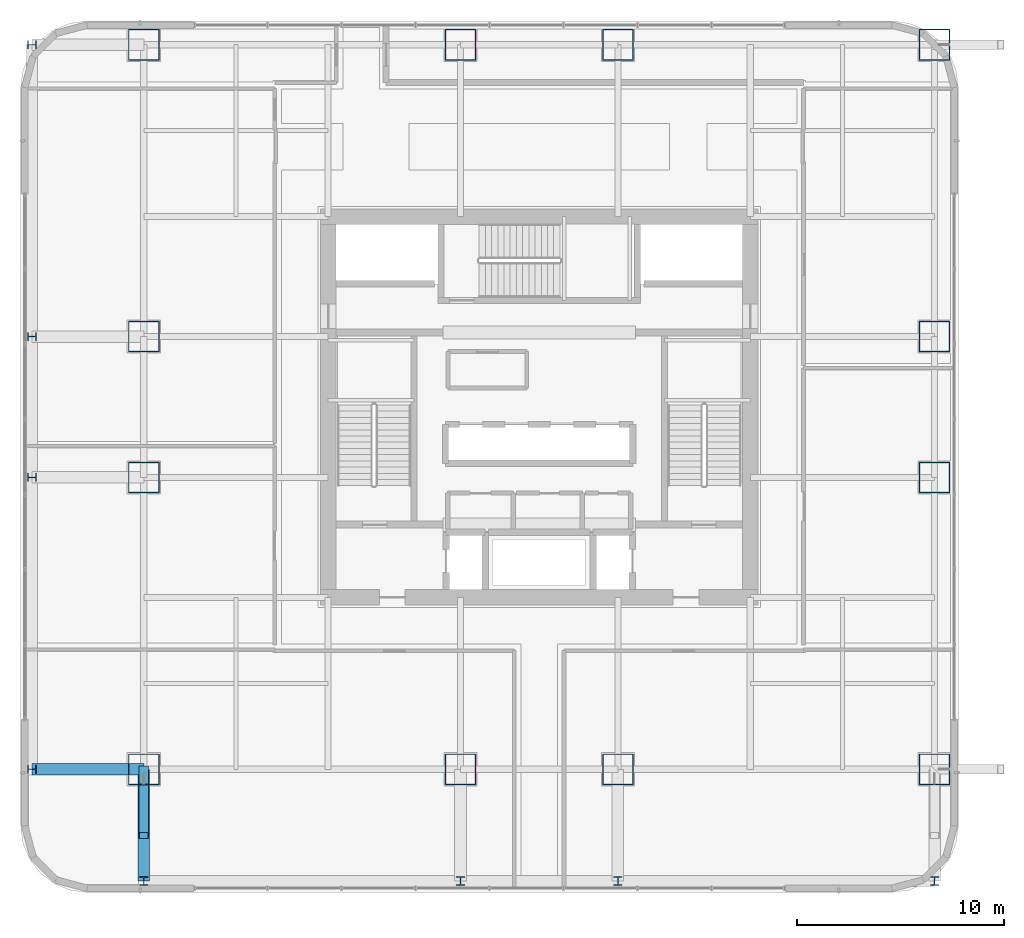
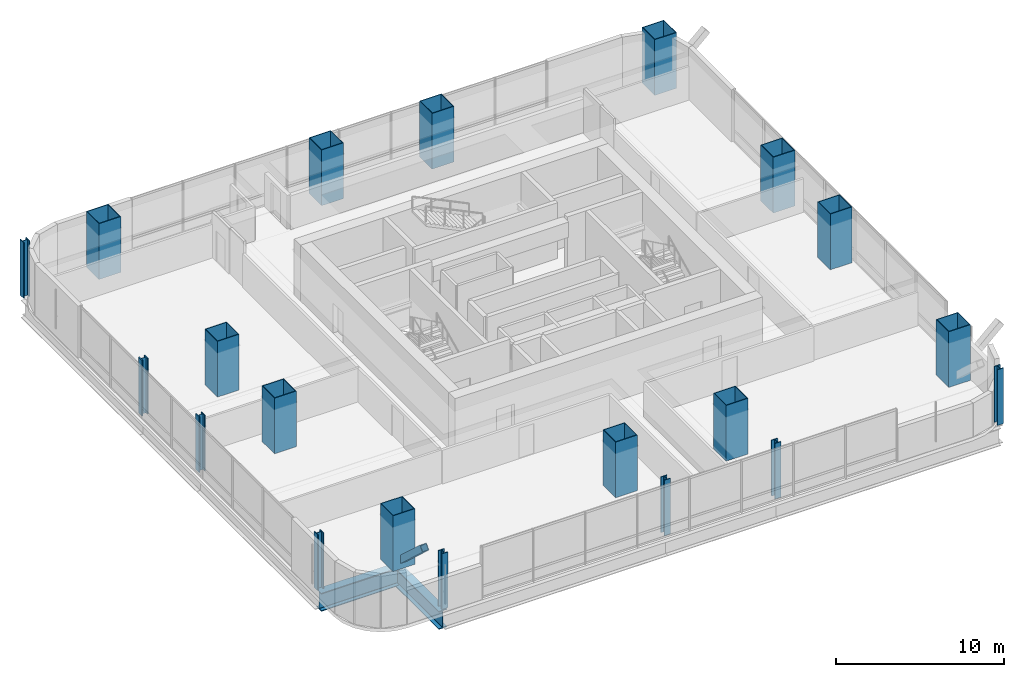
# One storey, part 1 of 45: 20 columns, 2 beams, 1 member.
"""IFC4 building model written with IfcOpenShell, lengths in metres."""

from ifc_helpers import new_model, si_unit, direction, frame, origin, origin_2d, place, context, subcontext, project, spatial, hollow_rectangle, i_section, extrude, material, material_profile, profile_set, type_object, element, save


model = new_model("IFC4")

# Units and contexts
model_context = context("Model", 3, precision=1e-05, world=origin(), true_north=direction((0.0, 1.0)))
body_context = subcontext(model_context, "Body", "Model", "MODEL_VIEW")
ifc_project = project(units=[si_unit("LENGTHUNIT", "METRE"), si_unit("AREAUNIT", "SQUARE_METRE"), si_unit("VOLUMEUNIT", "CUBIC_METRE"), si_unit("PLANEANGLEUNIT", "RADIAN"), si_unit("MASSUNIT", "GRAM", prefix="KILO")], contexts=[model_context])

# Site, building, storey
site_placement = place(None, origin())
site = spatial("IfcSite", under=ifc_project, at=site_placement, CompositionType="ELEMENT")
building_placement = place(site_placement, origin())
building = spatial("IfcBuilding", under=site, at=building_placement, Name="Punatoya Terracotta Tower", CompositionType="ELEMENT")
storey_placement = place(building_placement, frame((0.0, 0.0, 56.550048828125)))
storey = spatial("IfcBuildingStorey", under=building, at=storey_placement, Name="L12", CompositionType="ELEMENT", Elevation=56.550048828125)

# Columns
ifc_material = material(Name="Steel S460", Category="steel")
ifc_material_profile_1 = material_profile(ifc_material, i_section(OverallWidth=0.416015625, OverallDepth=0.446044921875, WebThickness=0.0390625, FlangeThickness=0.06201171875, FilletRadius=0.01806640625, at=origin_2d()))
ifc_profile_set_1 = profile_set([ifc_material_profile_1], Name="Steel S460")
column_type_1 = type_object("IfcColumnType", Name="COL-EX-M1", PredefinedType="COLUMN", material=ifc_profile_set_1)
for number, where, z_axis, x_axis, name in (
    (1, (-19.10009765625, -22.89990234375, 0.0), (0.0, 0.0, 1.0), (1.0, 0.0, 0.0), "L12 Exoskeleton Perimeter Column S1"),
    (2, (-3.800048828125, -22.89990234375, 0.0), (0.0, 0.0, 1.0), (1.0, 0.0, 0.0), "L12 Exoskeleton Perimeter Column S2"),
    (3, (3.800048828125, -22.89990234375, 0.0), (0.0, 0.0, 1.0), (1.0, 0.0, 0.0), "L12 Exoskeleton Perimeter Column S3"),
    (4, (19.10009765625, -22.89990234375, 0.0), (0.0, 0.0, 1.0), (1.0, 0.0, 0.0), "L12 Exoskeleton Perimeter Column S4"),
    (5, (-24.5, -17.5, 0.0), (0.0, 0.0, 1.0), (0.0, 1.0, 0.0), "L12 Exoskeleton Perimeter Column W1"),
    (6, (-24.5, -3.39990234375, 0.0), (0.0, 0.0, 1.0), (0.0, 1.0, 0.0), "L12 Exoskeleton Perimeter Column W2"),
    (7, (-24.5, 3.39990234375, 0.0), (0.0, 0.0, 1.0), (0.0, 1.0, 0.0), "L12 Exoskeleton Perimeter Column W3"),
    (8, (-24.5, 17.5, 0.0), (0.0, 0.0, 1.0), (0.0, 1.0, 0.0), "L12 Exoskeleton Perimeter Column W4"),
):
    element("IfcColumn", number, at=place(storey_placement, frame(where, z_axis=z_axis, x_axis=x_axis)), inside=storey, type_object=column_type_1, Name=name, PredefinedType="COLUMN", context=body_context, shape_type="SweptSolid", body=[
        extrude(i_section(OverallWidth=0.416015625, OverallDepth=0.446044921875, WebThickness=0.0390625, FlangeThickness=0.06201171875, FilletRadius=0.01806640625, at=origin_2d()), origin(), (0.0, 0.0, 1.0), 4.0478515625),
    ])
ifc_material_profile_2 = material_profile(ifc_material, hollow_rectangle(XDim=1.5, YDim=1.5, WallThickness=0.044921875, at=origin_2d()))
ifc_profile_set_2 = profile_set([ifc_material_profile_2], Name="Steel S460")
column_type_2 = type_object("IfcColumnType", Name="COL-MC-Z1", PredefinedType="COLUMN", material=ifc_profile_set_2)
for number, where, z_axis, x_axis, name in (
    (9, (-19.10009765625, -17.5, 0.0), (0.0, 0.0, 1.0), (1.0, 0.0, 0.0), "L12 Composite Mega-Column MC-01 (3-B)"),
    (10, (-3.800048828125, -17.5, 0.0), (0.0, 0.0, 1.0), (1.0, 0.0, 0.0), "L12 Composite Mega-Column MC-02 (5-B)"),
    (11, (3.800048828125, -17.5, 0.0), (0.0, 0.0, 1.0), (1.0, 0.0, 0.0), "L12 Composite Mega-Column MC-03 (7-B)"),
    (12, (19.10009765625, -17.5, 0.0), (0.0, 0.0, 1.0), (1.0, 0.0, 0.0), "L12 Composite Mega-Column MC-04 (9-B)"),
    (13, (19.10009765625, -3.39990234375, 0.0), (0.0, 0.0, 1.0), (1.0, 0.0, 0.0), "L12 Composite Mega-Column MC-05 (9-D)"),
    (14, (19.10009765625, 3.39990234375, 0.0), (0.0, 0.0, 1.0), (1.0, 0.0, 0.0), "L12 Composite Mega-Column MC-06 (9-E)"),
    (15, (19.10009765625, 17.5, 0.0), (0.0, 0.0, 1.0), (1.0, 0.0, 0.0), "L12 Composite Mega-Column MC-07 (9-G)"),
    (16, (3.800048828125, 17.5, 0.0), (0.0, 0.0, 1.0), (1.0, 0.0, 0.0), "L12 Composite Mega-Column MC-08 (7-G)"),
    (17, (-3.800048828125, 17.5, 0.0), (0.0, 0.0, 1.0), (1.0, 0.0, 0.0), "L12 Composite Mega-Column MC-09 (5-G)"),
    (18, (-19.10009765625, 17.5, 0.0), (0.0, 0.0, 1.0), (1.0, 0.0, 0.0), "L12 Composite Mega-Column MC-10 (3-G)"),
    (19, (-19.10009765625, 3.39990234375, 0.0), (0.0, 0.0, 1.0), (1.0, 0.0, 0.0), "L12 Composite Mega-Column MC-11 (3-E)"),
    (20, (-19.10009765625, -3.39990234375, 0.0), (0.0, 0.0, 1.0), (1.0, 0.0, 0.0), "L12 Composite Mega-Column MC-12 (3-D)"),
):
    element("IfcColumn", number, at=place(storey_placement, frame(where, z_axis=z_axis, x_axis=x_axis)), inside=storey, type_object=column_type_2, Name=name, PredefinedType="COLUMN", context=body_context, shape_type="SweptSolid", body=[
        extrude(hollow_rectangle(XDim=1.5, YDim=1.5, WallThickness=0.044921875, at=origin_2d()), origin(), (0.0, 0.0, 1.0), 4.050048828125),
    ])

# Beams
ifc_material_profile_3 = material_profile(ifc_material, i_section(OverallWidth=0.56005859375, OverallDepth=1.320068359375, WebThickness=0.035888671875, FlangeThickness=0.054931640625, FilletRadius=0.01806640625, at=origin_2d()))
ifc_profile_set_3 = profile_set([ifc_material_profile_3], Name="Steel S460")
beam_type = type_object("IfcBeamType", Name="BM-TG-BLK", PredefinedType="BEAM", material=ifc_profile_set_3)
for number, where, z_axis, x_axis, name in (
    (21, (-24.5, -17.5, -0.900146484375), (1.0, 0.0, 0.0), (0.0, 1.0, 0.0), "BM-L12-CANT-W1"),
    (22, (-19.10009765625, -22.89990234375, -0.900146484375), (0.0, 1.0, 0.0), (-1.0, 0.0, 0.0), "BM-L12-CANT-S1"),
):
    element("IfcBeam", number, at=place(storey_placement, frame(where, z_axis=z_axis, x_axis=x_axis)), inside=storey, type_object=beam_type, Name=name, PredefinedType="BEAM", context=body_context, shape_type="SweptSolid", body=[
        extrude(i_section(OverallWidth=0.56005859375, OverallDepth=1.320068359375, WebThickness=0.035888671875, FlangeThickness=0.054931640625, FilletRadius=0.01806640625, at=origin_2d()), origin(), (0.0, 0.0, 1.0), 5.39990234375),
    ])

# Member
ifc_material_profile_4 = material_profile(ifc_material, hollow_rectangle(XDim=0.449951171875, YDim=0.449951171875, WallThickness=0.02490234375, at=origin_2d()))
ifc_profile_set_4 = profile_set([ifc_material_profile_4], Name="Steel S460")
member_type = type_object("IfcMemberType", Name="MEM-STR-450", PredefinedType="STRUT", material=ifc_profile_set_4)
member_placement = place(storey_placement, frame((-19.10009765625, -17.5, 0.02001953125), z_axis=(0.0, -0.735244168043, 0.677802340922), x_axis=(1.0, 0.0, 0.0)))
element("IfcMember", 23, at=member_placement, inside=storey, type_object=member_type, Name="L13 Cantilever Raking Knee-Strut S1", PredefinedType="STRUT", context=body_context, shape_type="SweptSolid", body=[
    extrude(hollow_rectangle(XDim=0.449951171875, YDim=0.449951171875, WallThickness=0.02490234375, at=origin_2d()), origin(), (0.0, 0.0, 1.0), 4.352294921875),
])

save(model, "model.ifc")
